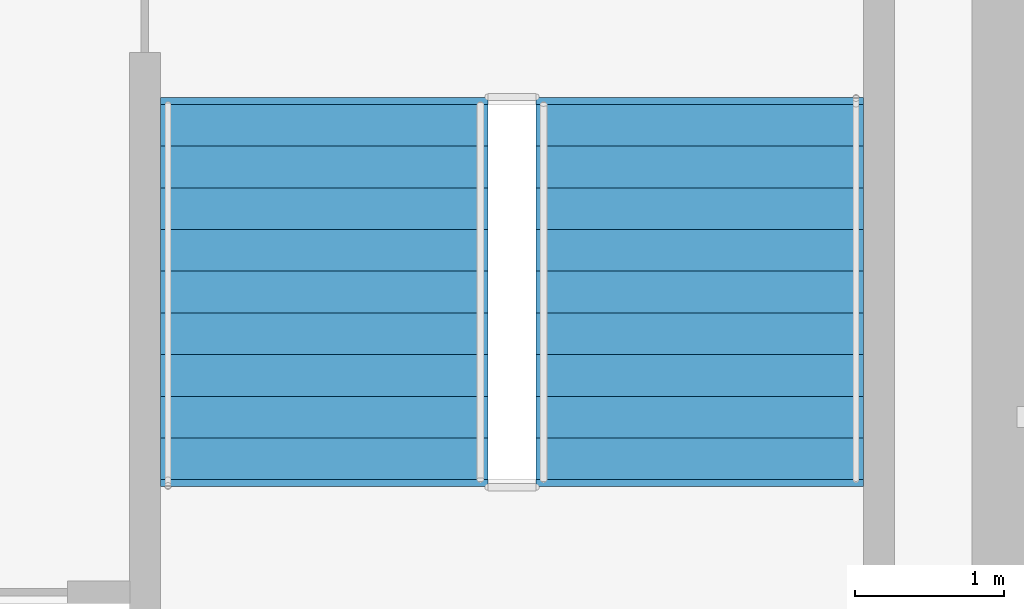
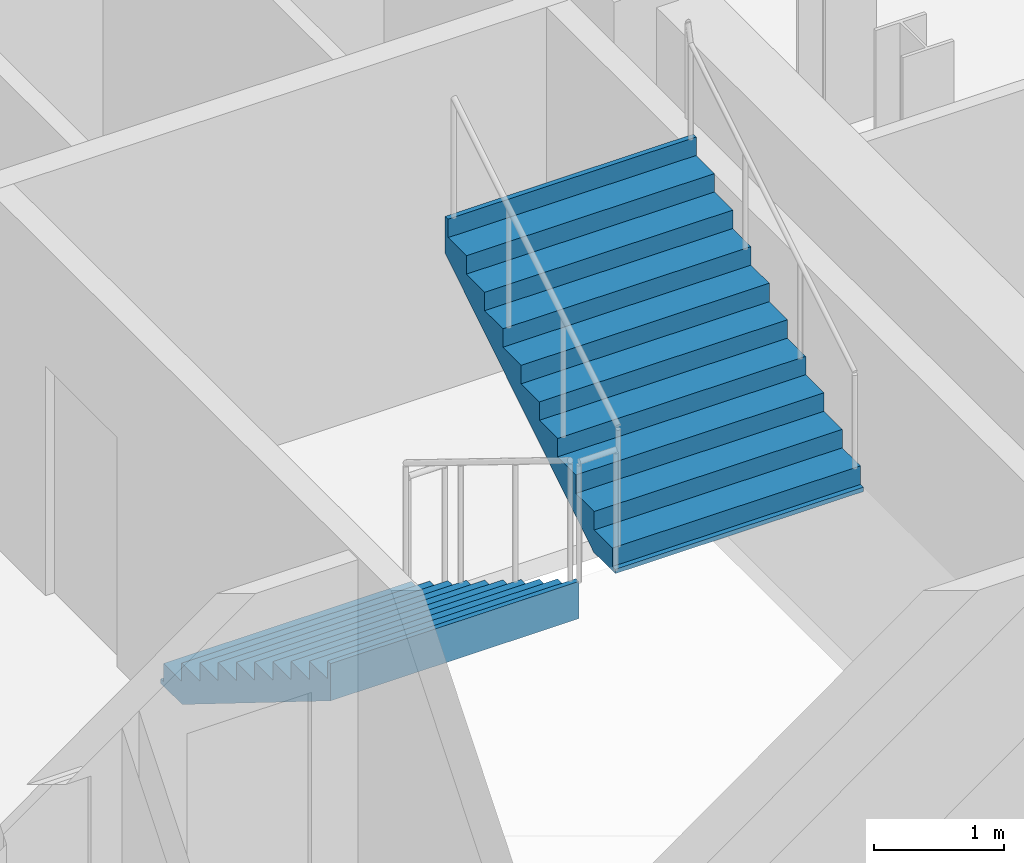
# One storey, part 10 of 11: 2 stair flights, 1 element without a shape of its own.
"""IFC4 building model written with IfcOpenShell, lengths in metres."""

from ifc_helpers import new_model, si_unit, direction, frame, origin, place, context, subcontext, project, spatial, polyline, outline, extrude, material, layer, layer_set, type_object, element, aggregate, save


model = new_model("IFC4")

# Units and contexts
model_context = context("Model", 3, precision=1e-05, world=origin(), true_north=direction((0.0, 1.0)))
body_context = subcontext(model_context, "Body", "Model", "MODEL_VIEW")
ifc_project = project(units=[si_unit("LENGTHUNIT", "METRE"), si_unit("AREAUNIT", "SQUARE_METRE"), si_unit("VOLUMEUNIT", "CUBIC_METRE"), si_unit("PLANEANGLEUNIT", "RADIAN"), si_unit("MASSUNIT", "GRAM", prefix="KILO")], contexts=[model_context])

# Site, building, storey
site_placement = place(None, origin())
site = spatial("IfcSite", under=ifc_project, at=site_placement, CompositionType="ELEMENT")
building_placement = place(site_placement, origin())
building = spatial("IfcBuilding", under=site, at=building_placement, Name="Velakula Bourse", CompositionType="ELEMENT")
storey_placement = place(building_placement, frame((0.0, 0.0, 279.300048828125)))
storey = spatial("IfcBuildingStorey", under=building, at=storey_placement, Name="L76", CompositionType="ELEMENT", Elevation=279.300048828125)

# Stair, stair flights
ifc_material = material(Name="Concrete M45 (fck 45 MPa)", Category="concrete")
stair_type = type_object("IfcStairType", Name="STR-DOG-390", PredefinedType="HALF_TURN_STAIR", material=ifc_material)
stair_placement = place(storey_placement, origin())
stair = element("IfcStair", 1, at=stair_placement, inside=storey, type_object=stair_type, Name="L76 East Core Exit Stair ST-E1", PredefinedType="HALF_TURN_STAIR")
ifc_layer = layer(ifc_material, 0.195068359375, Name="Concrete M45 (fck 45 MPa)", Category="concrete")
ifc_layer_set = layer_set([ifc_layer], Name="Concrete M45 (fck 45 MPa)")
stair_flight_type = type_object("IfcStairFlightType", Name="FLT-DOG-390", PredefinedType="STRAIGHT", material=ifc_layer_set)
stair_flight_1_placement = place(storey_placement, frame((14.198974609375, -2.199951171875, 0.0), z_axis=(0.0, 0.0, 1.0), x_axis=(0.0, -1.0, 0.0)))
stair_flight_1 = element("IfcStairFlight", 2, at=stair_flight_1_placement, type_object=stair_flight_type, Name="ST-E1 flight 1", NumberOfRisers=10, NumberOfTreads=9, PredefinedType="STRAIGHT", RiserHeight=0.1725, TreadLength=0.28, context=body_context, shape_type="SweptSolid", body=[
    extrude(outline(polyline([(-0.044921875, -0.0400390625), (-0.044921875, -0.036865234375), (-0.044921875, -0.033935546875), (-0.044921875, -0.03076171875), (-0.044921875, -0.027587890625), (-0.044921875, -0.024658203125), (-0.044921875, -0.021484375), (-0.044921875, -0.0185546875), (-0.044921875, -0.015380859375), (-0.044921875, -0.01220703125), (-0.044921875, -0.00927734375), (-0.044921875, -0.006103515625), (-0.044921875, -0.003173828125), (-0.044921875, 0.0), (0.0, 0.0), (0.0, 0.172607421875), (0.280029296875, 0.172607421875), (0.280029296875, 0.344970703125), (0.56005859375, 0.344970703125), (0.56005859375, 0.517578125), (0.840087890625, 0.517578125), (0.840087890625, 0.68994140625), (1.1201171875, 0.68994140625), (1.1201171875, 0.862548828125), (1.39990234375, 0.862548828125), (1.39990234375, 1.034912109375), (1.679931640625, 1.034912109375), (1.679931640625, 1.20751953125), (1.9599609375, 1.20751953125), (1.9599609375, 1.3798828125), (2.239990234375, 1.3798828125), (2.239990234375, 1.552490234375), (2.52001953125, 1.552490234375), (2.52001953125, 1.72509765625), (2.56494140625, 1.72509765625), (2.56494140625, 1.7001953125), (2.56494140625, 1.67529296875), (2.56494140625, 1.650390625), (2.56494140625, 1.62548828125), (2.56494140625, 1.6005859375), (2.56494140625, 1.57568359375), (2.56494140625, 1.55078125), (2.56494140625, 1.52587890625), (2.56494140625, 1.5009765625), (2.56494140625, 1.47607421875), (2.56494140625, 1.451171875), (2.56494140625, 1.42626953125), (2.56494140625, 1.4013671875), (2.56494140625, 1.37646484375), (0.285888671875, -0.0400390625), (-0.044921875, -0.0400390625)])), frame((0.0, 1.09912109375, 0.0), z_axis=(0.0, -1.0, 0.0), x_axis=(1.0, 0.0, 0.0)), (0.0, 0.0, 1.0), 2.197998046875),
])
stair_flight_2_placement = place(storey_placement, frame((16.720947265625, -4.719970703125, 1.724853515625), z_axis=(0.0, 0.0, 1.0), x_axis=(0.0, 1.0, 0.0)))
stair_flight_2 = element("IfcStairFlight", 3, at=stair_flight_2_placement, type_object=stair_flight_type, Name="ST-E1 flight 2", NumberOfRisers=10, NumberOfTreads=9, PredefinedType="STRAIGHT", RiserHeight=0.1725, TreadLength=0.28, context=body_context, shape_type="SweptSolid", body=[
    extrude(outline(polyline([(-0.044921875, -0.0400390625), (-0.044921875, -0.036865234375), (-0.044921875, -0.033935546875), (-0.044921875, -0.03076171875), (-0.044921875, -0.027587890625), (-0.044921875, -0.024658203125), (-0.044921875, -0.021484375), (-0.044921875, -0.0185546875), (-0.044921875, -0.015380859375), (-0.044921875, -0.01220703125), (-0.044921875, -0.00927734375), (-0.044921875, -0.006103515625), (-0.044921875, -0.003173828125), (-0.044921875, 0.0), (0.0, 0.0), (0.0, 0.172607421875), (0.280029296875, 0.172607421875), (0.280029296875, 0.344970703125), (0.56005859375, 0.344970703125), (0.56005859375, 0.517578125), (0.840087890625, 0.517578125), (0.840087890625, 0.68994140625), (1.1201171875, 0.68994140625), (1.1201171875, 0.862548828125), (1.39990234375, 0.862548828125), (1.39990234375, 1.034912109375), (1.679931640625, 1.034912109375), (1.679931640625, 1.20751953125), (1.9599609375, 1.20751953125), (1.9599609375, 1.3798828125), (2.239990234375, 1.3798828125), (2.239990234375, 1.552490234375), (2.52001953125, 1.552490234375), (2.52001953125, 1.72509765625), (2.56494140625, 1.72509765625), (2.56494140625, 1.7001953125), (2.56494140625, 1.67529296875), (2.56494140625, 1.650390625), (2.56494140625, 1.62548828125), (2.56494140625, 1.6005859375), (2.56494140625, 1.57568359375), (2.56494140625, 1.55078125), (2.56494140625, 1.52587890625), (2.56494140625, 1.5009765625), (2.56494140625, 1.47607421875), (2.56494140625, 1.451171875), (2.56494140625, 1.42626953125), (2.56494140625, 1.4013671875), (2.56494140625, 1.37646484375), (0.285888671875, -0.0400390625), (-0.044921875, -0.0400390625)])), frame((0.0, 1.09912109375, 0.0), z_axis=(0.0, -1.0, 0.0), x_axis=(1.0, 0.0, 0.0)), (0.0, 0.0, 1.0), 2.197998046875),
])
aggregate(stair, [stair_flight_1, stair_flight_2])

save(model, "model.ifc")
